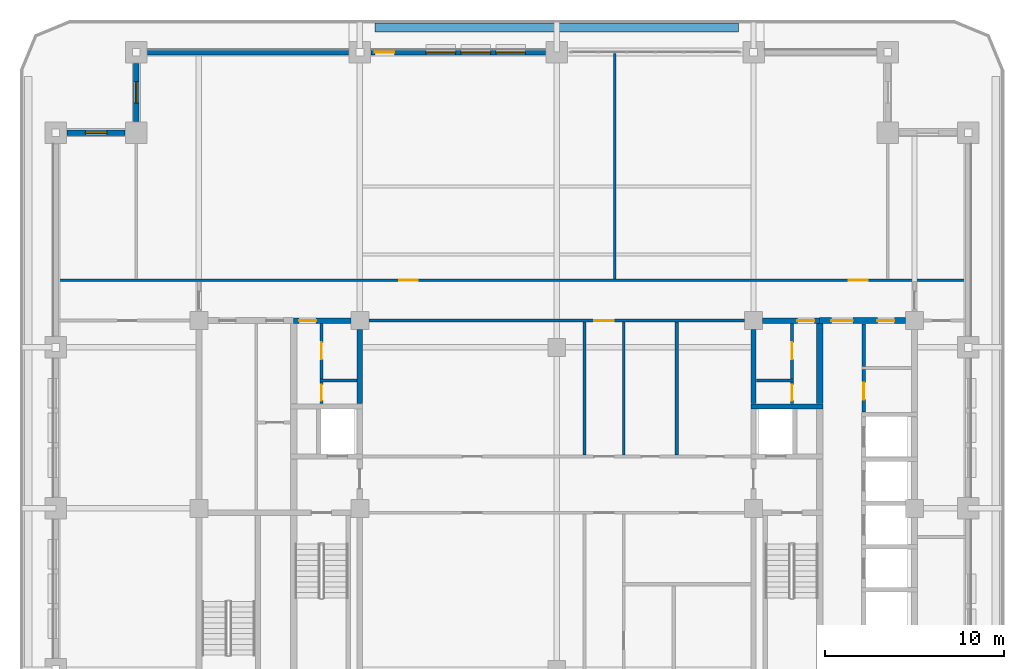
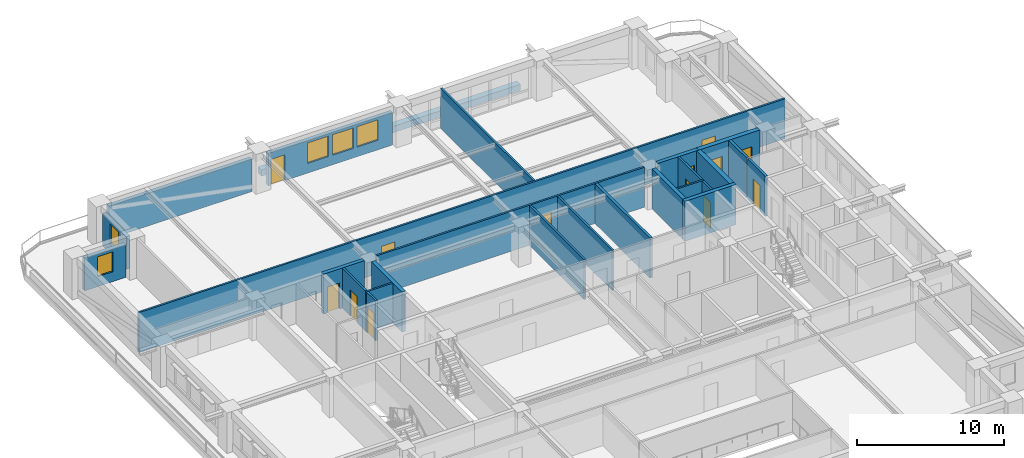
# One storey, part 11 of 20: 26 walls, 13 doors, 5 windows, 18 openings.
"""IFC4 building model written with IfcOpenShell, lengths in metres."""

from ifc_helpers import new_model, si_unit, direction, frame, frame_2d, origin, place, context, subcontext, project, spatial, rectangle, extrude, material, layer, layer_set, type_object, element, fill, save


model = new_model("IFC4")

# Units and contexts
model_context = context("Model", 3, precision=1e-05, world=origin(), true_north=direction((0.0, 1.0)))
body_context = subcontext(model_context, "Body", "Model", "MODEL_VIEW")
ifc_project = project(units=[si_unit("LENGTHUNIT", "METRE"), si_unit("AREAUNIT", "SQUARE_METRE"), si_unit("VOLUMEUNIT", "CUBIC_METRE"), si_unit("PLANEANGLEUNIT", "RADIAN"), si_unit("MASSUNIT", "GRAM", prefix="KILO")], contexts=[model_context])

# Site, building, storey
site_placement = place(None, origin())
site = spatial("IfcSite", under=ifc_project, at=site_placement, CompositionType="ELEMENT")
building_placement = place(site_placement, origin())
building = spatial("IfcBuilding", under=site, at=building_placement, Name="Zulmaris Gate Convention Tower", CompositionType="ELEMENT")
storey_placement = place(building_placement, frame((0.0, 0.0, 146.33984375)))
storey = spatial("IfcBuildingStorey", under=building, at=storey_placement, Name="L37", CompositionType="ELEMENT", Elevation=146.33984375)

# Wall
ifc_material_1 = material(Name="Concrete C50/60", Category="concrete")
ifc_layer_1 = layer(ifc_material_1, 0.300048828125, Name="Concrete C50/60")
ifc_layer_set_1 = layer_set([ifc_layer_1], Name="Concrete C50/60")
wall_type_1 = type_object("IfcWallType", Name="CORE-300", PredefinedType="SHEAR", material=ifc_layer_set_1)
wall_1_placement = place(storey_placement, frame((10.85009765625, 5.699951171875, 0.0), z_axis=(0.0, 0.0, 1.0), x_axis=(1.0, 0.0, 0.0)))
element("IfcWall", 1, at=wall_1_placement, inside=storey, type_object=wall_type_1, Name="WL-L37-016", PredefinedType="SHEAR", context=body_context, shape_type="SweptSolid", body=[
    extrude(rectangle(XDim=4.02490234375, YDim=0.300048828125, at=frame_2d((2.012451171875, 0.0))), origin(), (0.0, 0.0, 1.0), 3.320068359375),
])

# Wall, opening, door
wall_2_placement = place(storey_placement, frame((-14.699951171875, 10.5, 0.0), z_axis=(0.0, 0.0, 1.0), x_axis=(1.0, 0.0, 0.0)))
wall_2 = element("IfcWall", 2, at=wall_2_placement, inside=storey, type_object=wall_type_1, Name="WL-L37-018", PredefinedType="SHEAR", context=body_context, shape_type="SweptSolid", body=[
    extrude(rectangle(XDim=3.196044921875, YDim=0.300048828125, at=frame_2d((1.59814453125, 0.0))), origin(), (0.0, 0.0, 1.0), 3.320068359375),
])
opening_1_placement = place(wall_2_placement, frame((0.304931640625, 0.0, 0.0)))
opening_1 = element("IfcOpeningElement", 3, at=opening_1_placement, cuts=wall_2, Name="Opening D-11", PredefinedType="OPENING", context=body_context, shape_type="SweptSolid", body=[
    extrude(rectangle(XDim=0.949951171875, YDim=2.14990234375, at=frame_2d((0.47509765625, 1.074951171875))), frame((0.0, 0.16015625, 0.0), z_axis=(0.0, -1.0, 0.0), x_axis=(1.0, 0.0, 0.0)), (0.0, 0.0, 1.0), 0.320068359375),
])
ifc_material_2 = material(Name="Fire-Rated Timber", Category="wood")
door_type_1 = type_object("IfcDoorType", Name="DR-950-FD", OperationType="NOTDEFINED", PredefinedType="DOOR", material=ifc_material_2)
door_1_placement = place(opening_1_placement, origin())
door_1 = element("IfcDoor", 4, at=door_1_placement, inside=storey, type_object=door_type_1, Name="L37 Core West Passage Door 07", OperationType="SINGLE_SWING_LEFT", OverallHeight=2.14990234375, OverallWidth=0.949951171875, PredefinedType="DOOR", context=body_context, shape_type="SweptSolid", body=[
    extrude(rectangle(XDim=0.949951171875, YDim=2.14990234375, at=frame_2d((0.47509765625, 1.074951171875))), frame((0.0, 0.02490234375, 0.0), z_axis=(0.0, -1.0, 0.0), x_axis=(1.0, 0.0, 0.0)), (0.0, 0.0, 1.0), 0.050048828125),
])
fill(opening_1, door_1)

wall_3_placement = place(storey_placement, frame((11.50390625, 10.5, 0.0), z_axis=(0.0, 0.0, 1.0), x_axis=(1.0, 0.0, 0.0)))
wall_3 = element("IfcWall", 5, at=wall_3_placement, inside=storey, type_object=wall_type_1, Name="WL-L37-019", PredefinedType="SHEAR", context=body_context, shape_type="SweptSolid", body=[
    extrude(rectangle(XDim=3.196044921875, YDim=0.300048828125, at=frame_2d((1.59814453125, 0.0))), origin(), (0.0, 0.0, 1.0), 3.320068359375),
])
opening_2_placement = place(wall_3_placement, frame((1.94091796875, 0.0, 0.0)))
opening_2 = element("IfcOpeningElement", 6, at=opening_2_placement, cuts=wall_3, Name="Opening D-11", PredefinedType="OPENING", context=body_context, shape_type="SweptSolid", body=[
    extrude(rectangle(XDim=0.949951171875, YDim=2.14990234375, at=frame_2d((0.47509765625, 1.074951171875))), frame((0.0, 0.16015625, 0.0), z_axis=(0.0, -1.0, 0.0), x_axis=(1.0, 0.0, 0.0)), (0.0, 0.0, 1.0), 0.320068359375),
])
door_2_placement = place(opening_2_placement, origin())
door_2 = element("IfcDoor", 7, at=door_2_placement, inside=storey, type_object=door_type_1, Name="L37 Core East Passage Door 10", OperationType="SINGLE_SWING_RIGHT", OverallHeight=2.14990234375, OverallWidth=0.949951171875, PredefinedType="DOOR", context=body_context, shape_type="SweptSolid", body=[
    extrude(rectangle(XDim=0.949951171875, YDim=2.14990234375, at=frame_2d((0.47509765625, 1.074951171875))), frame((0.0, 0.02490234375, 0.0), z_axis=(0.0, -1.0, 0.0), x_axis=(1.0, 0.0, 0.0)), (0.0, 0.0, 1.0), 0.050048828125),
])
fill(opening_2, door_2)

# Walls
for number, where, z_axis, x_axis, name in (
    (8, (-11.0, 5.85205078125, 0.0), (0.0, 0.0, 1.0), (0.0, 1.0, 0.0), "WL-L37-051"),
    (9, (11.0, 5.85205078125, 0.0), (0.0, 0.0, 1.0), (0.0, 1.0, 0.0), "WL-L37-055"),
):
    element("IfcWall", number, at=place(storey_placement, frame(where, z_axis=z_axis, x_axis=x_axis)), inside=storey, type_object=wall_type_1, Name=name, PredefinedType="SHEAR", context=body_context, shape_type="SweptSolid", body=[
        extrude(rectangle(XDim=4.14404296875, YDim=0.300048828125, at=frame_2d((2.072021484375, 0.0))), origin(), (0.0, 0.0, 1.0), 3.320068359375),
    ])

# Wall, openings, doors
ifc_material_3 = material(Name="Concrete C55/67", Category="concrete")
ifc_layer_2 = layer(ifc_material_3, 0.35009765625, Name="Concrete C55/67")
ifc_layer_set_2 = layer_set([ifc_layer_2], Name="Concrete C55/67")
wall_type_2 = type_object("IfcWallType", Name="CORE-350", PredefinedType="SHEAR", material=ifc_layer_set_2)
wall_4_placement = place(storey_placement, frame((14.699951171875, 10.5, 0.0), z_axis=(0.0, 0.0, 1.0), x_axis=(1.0, 0.0, 0.0)))
wall_4 = element("IfcWall", 10, at=wall_4_placement, inside=storey, type_object=wall_type_2, Name="WL-L37-020", PredefinedType="SHEAR", context=body_context, shape_type="SweptSolid", body=[
    extrude(rectangle(XDim=4.796142578125, YDim=0.35009765625, at=frame_2d((2.39794921875, 0.0))), origin(), (0.0, 0.0, 1.0), 3.320068359375),
])
opening_3_placement = place(wall_4_placement, frame((0.64990234375, 0.0, 0.0)))
opening_3 = element("IfcOpeningElement", 11, at=opening_3_placement, cuts=wall_4, Name="Opening D-13", PredefinedType="OPENING", context=body_context, shape_type="SweptSolid", body=[
    extrude(rectangle(XDim=1.199951171875, YDim=2.14990234375, at=frame_2d((0.60009765625, 1.074951171875))), frame((0.0, 0.18505859375, 0.0), z_axis=(0.0, -1.0, 0.0), x_axis=(1.0, 0.0, 0.0)), (0.0, 0.0, 1.0), 0.3701171875),
])
opening_4_placement = place(wall_4_placement, frame((3.22509765625, 0.0, 0.0)))
opening_4 = element("IfcOpeningElement", 12, at=opening_4_placement, cuts=wall_4, Name="Opening D-11", PredefinedType="OPENING", context=body_context, shape_type="SweptSolid", body=[
    extrude(rectangle(XDim=0.949951171875, YDim=2.14990234375, at=frame_2d((0.47509765625, 1.074951171875))), frame((0.0, 0.18505859375, 0.0), z_axis=(0.0, -1.0, 0.0), x_axis=(1.0, 0.0, 0.0)), (0.0, 0.0, 1.0), 0.3701171875),
])
ifc_material_4 = material(Name="Fire-Rated Steel", Category="steel")
door_type_2 = type_object("IfcDoorType", Name="DR-1200-FD", OperationType="NOTDEFINED", PredefinedType="DOOR", material=ifc_material_4)
door_3_placement = place(opening_3_placement, origin())
door_3 = element("IfcDoor", 13, at=door_3_placement, inside=storey, type_object=door_type_2, Name="L37 East Lift Lobby North Door 22", OperationType="SINGLE_SWING_RIGHT", OverallHeight=2.14990234375, OverallWidth=1.199951171875, PredefinedType="DOOR", context=body_context, shape_type="SweptSolid", body=[
    extrude(rectangle(XDim=1.199951171875, YDim=2.14990234375, at=frame_2d((0.60009765625, 1.074951171875))), frame((0.0, 0.02490234375, 0.0), z_axis=(0.0, -1.0, 0.0), x_axis=(1.0, 0.0, 0.0)), (0.0, 0.0, 1.0), 0.050048828125),
])
fill(opening_3, door_3)
door_4_placement = place(opening_4_placement, origin())
door_4 = element("IfcDoor", 14, at=door_4_placement, inside=storey, type_object=door_type_1, Name="L37 Mid-Rise Supply Door 23", OperationType="SINGLE_SWING_LEFT", OverallHeight=2.14990234375, OverallWidth=0.949951171875, PredefinedType="DOOR", context=body_context, shape_type="SweptSolid", body=[
    extrude(rectangle(XDim=0.949951171875, YDim=2.14990234375, at=frame_2d((0.47509765625, 1.074951171875))), frame((0.0, 0.02490234375, 0.0), z_axis=(0.0, -1.0, 0.0), x_axis=(1.0, 0.0, 0.0)), (0.0, 0.0, 1.0), 0.050048828125),
])
fill(opening_4, door_4)

# Walls
wall_5_placement = place(storey_placement, frame((14.699951171875, 5.85205078125, 0.0), z_axis=(0.0, 0.0, 1.0), x_axis=(0.0, 1.0, 0.0)))
element("IfcWall", 15, at=wall_5_placement, inside=storey, type_object=wall_type_2, Name="WL-L37-061", PredefinedType="SHEAR", context=body_context, shape_type="SweptSolid", body=[
    extrude(rectangle(XDim=4.470947265625, YDim=0.35009765625, at=frame_2d((2.2353515625, 0.0))), origin(), (0.0, 0.0, 1.0), 3.320068359375),
])
ifc_material_5 = material(Name="Gypsum Metal Stud Partition")
ifc_layer_3 = layer(ifc_material_5, 0.14990234375, Name="Gypsum Metal Stud Partition")
ifc_layer_set_3 = layer_set([ifc_layer_3], Name="Gypsum Metal Stud Partition")
wall_type_3 = type_object("IfcWallType", Name="PART-150", PredefinedType="PARTITIONING", material=ifc_layer_set_3)
for number, where, z_axis, x_axis, name in (
    (16, (-13.22509765625, 7.14990234375, 0.0), (0.0, 0.0, 1.0), (1.0, 0.0, 0.0), "WL-L37-032"),
    (17, (11.153076171875, 7.14990234375, 0.0), (0.0, 0.0, 1.0), (1.0, 0.0, 0.0), "WL-L37-033"),
):
    element("IfcWall", number, at=place(storey_placement, frame(where, z_axis=z_axis, x_axis=x_axis)), inside=storey, type_object=wall_type_3, Name=name, PredefinedType="PARTITIONING", context=body_context, shape_type="SweptSolid", body=[
        extrude(rectangle(XDim=2.072021484375, YDim=0.14990234375, at=frame_2d((1.0361328125, 0.0))), origin(), (0.0, 0.0, 1.0), 3.320068359375),
    ])

# Wall, opening, door
wall_6_placement = place(storey_placement, frame((-10.493896484375, 10.5, 0.0), z_axis=(0.0, 0.0, 1.0), x_axis=(1.0, 0.0, 0.0)))
wall_6 = element("IfcWall", 18, at=wall_6_placement, inside=storey, type_object=wall_type_3, Name="WL-L37-036", PredefinedType="PARTITIONING", context=body_context, shape_type="SweptSolid", body=[
    extrude(rectangle(XDim=20.98779296875, YDim=0.14990234375, at=frame_2d((10.493896484375, 0.0))), origin(), (0.0, 0.0, 1.0), 3.320068359375),
])
opening_5_placement = place(wall_6_placement, frame((12.593994140625, 0.0, 0.0)))
opening_5 = element("IfcOpeningElement", 19, at=opening_5_placement, cuts=wall_6, Name="Opening D-08", PredefinedType="OPENING", context=body_context, shape_type="SweptSolid", body=[
    extrude(rectangle(XDim=1.10009765625, YDim=2.14990234375, at=frame_2d((0.550048828125, 1.074951171875))), frame((0.0, 0.0849609375, 0.0), z_axis=(0.0, -1.0, 0.0), x_axis=(1.0, 0.0, 0.0)), (0.0, 0.0, 1.0), 0.169921875),
])
door_type_3 = type_object("IfcDoorType", Name="DR-1100-FD", OperationType="NOTDEFINED", PredefinedType="DOOR", material=ifc_material_4)
door_5_placement = place(opening_5_placement, origin())
door_5 = element("IfcDoor", 20, at=door_5_placement, inside=storey, type_object=door_type_3, Name="L37 North Gallery Link Door 25", OperationType="SINGLE_SWING_LEFT", OverallHeight=2.14990234375, OverallWidth=1.10009765625, PredefinedType="DOOR", context=body_context, shape_type="SweptSolid", body=[
    extrude(rectangle(XDim=1.10009765625, YDim=2.14990234375, at=frame_2d((0.550048828125, 1.074951171875))), frame((0.0, 0.02490234375, 0.0), z_axis=(0.0, -1.0, 0.0), x_axis=(1.0, 0.0, 0.0)), (0.0, 0.0, 1.0), 0.050048828125),
])
fill(opening_5, door_5)

# Wall, openings, doors
wall_7_placement = place(storey_placement, frame((-27.8349609375, 12.75, 0.0), z_axis=(0.0, 0.0, 1.0), x_axis=(1.0, 0.0, 0.0)))
wall_7 = element("IfcWall", 21, at=wall_7_placement, inside=storey, type_object=wall_type_3, Name="WL-L37-038", PredefinedType="PARTITIONING", context=body_context, shape_type="SweptSolid", body=[
    extrude(rectangle(XDim=50.669921875, YDim=0.14990234375, at=frame_2d((25.3349609375, 0.0))), origin(), (0.0, 0.0, 1.0), 3.320068359375),
])
opening_6_placement = place(wall_7_placement, frame((19.030029296875, 0.0, 0.0)))
opening_6 = element("IfcOpeningElement", 22, at=opening_6_placement, cuts=wall_7, Name="Opening D-09", PredefinedType="OPENING", context=body_context, shape_type="SweptSolid", body=[
    extrude(rectangle(XDim=1.050048828125, YDim=2.14990234375, at=frame_2d((0.52490234375, 1.074951171875))), frame((0.0, 0.0849609375, 0.0), z_axis=(0.0, -1.0, 0.0), x_axis=(1.0, 0.0, 0.0)), (0.0, 0.0, 1.0), 0.169921875),
])
opening_7_placement = place(wall_7_placement, frame((44.159912109375, 0.0, 0.0)))
opening_7 = element("IfcOpeningElement", 23, at=opening_7_placement, cuts=wall_7, Name="Opening D-09", PredefinedType="OPENING", context=body_context, shape_type="SweptSolid", body=[
    extrude(rectangle(XDim=1.050048828125, YDim=2.14990234375, at=frame_2d((0.52490234375, 1.074951171875))), frame((0.0, 0.0849609375, 0.0), z_axis=(0.0, -1.0, 0.0), x_axis=(1.0, 0.0, 0.0)), (0.0, 0.0, 1.0), 0.169921875),
])
door_type_4 = type_object("IfcDoorType", Name="DR-1050-FD", OperationType="NOTDEFINED", PredefinedType="DOOR", material=ifc_material_4)
door_6_placement = place(opening_6_placement, origin())
door_6 = element("IfcDoor", 24, at=door_6_placement, inside=storey, type_object=door_type_4, Name="L37 Delegate Business Lounge Door 29", OperationType="SINGLE_SWING_LEFT", OverallHeight=2.14990234375, OverallWidth=1.050048828125, PredefinedType="DOOR", context=body_context, shape_type="SweptSolid", body=[
    extrude(rectangle(XDim=1.050048828125, YDim=2.14990234375, at=frame_2d((0.52490234375, 1.074951171875))), frame((0.0, 0.02490234375, 0.0), z_axis=(0.0, -1.0, 0.0), x_axis=(1.0, 0.0, 0.0)), (0.0, 0.0, 1.0), 0.050048828125),
])
fill(opening_6, door_6)
door_7_placement = place(opening_7_placement, origin())
door_7 = element("IfcDoor", 25, at=door_7_placement, inside=storey, type_object=door_type_4, Name="L37 Commercial Advisory Office Door 30", OperationType="SINGLE_SWING_RIGHT", OverallHeight=2.14990234375, OverallWidth=1.050048828125, PredefinedType="DOOR", context=body_context, shape_type="SweptSolid", body=[
    extrude(rectangle(XDim=1.050048828125, YDim=2.14990234375, at=frame_2d((0.52490234375, 1.074951171875))), frame((0.0, 0.02490234375, 0.0), z_axis=(0.0, -1.0, 0.0), x_axis=(1.0, 0.0, 0.0)), (0.0, 0.0, 1.0), 0.050048828125),
])
fill(opening_7, door_7)

# Wall, opening, door
wall_8_placement = place(storey_placement, frame((-13.14990234375, 5.85302734375, 0.0), z_axis=(0.0, 0.0, 1.0), x_axis=(0.0, 1.0, 0.0)))
wall_8 = element("IfcWall", 26, at=wall_8_placement, inside=storey, type_object=wall_type_3, Name="WL-L37-080", PredefinedType="PARTITIONING", context=body_context, shape_type="SweptSolid", body=[
    extrude(rectangle(XDim=1.218994140625, YDim=0.14990234375, at=frame_2d((0.609375, 0.0))), origin(), (0.0, 0.0, 1.0), 3.320068359375),
])
opening_8_placement = place(wall_8_placement, frame((0.1689453125, 0.0, 0.0)))
opening_8 = element("IfcOpeningElement", 27, at=opening_8_placement, cuts=wall_8, Name="Opening D-12", PredefinedType="OPENING", context=body_context, shape_type="SweptSolid", body=[
    extrude(rectangle(XDim=0.89990234375, YDim=2.14990234375, at=frame_2d((0.449951171875, 1.074951171875))), frame((0.0, 0.0849609375, 0.0), z_axis=(0.0, -1.0, 0.0), x_axis=(1.0, 0.0, 0.0)), (0.0, 0.0, 1.0), 0.169921875),
])
door_type_5 = type_object("IfcDoorType", Name="DR-900-FD", OperationType="NOTDEFINED", PredefinedType="DOOR", material=ifc_material_2)
door_8_placement = place(opening_8_placement, origin())
door_8 = element("IfcDoor", 28, at=door_8_placement, inside=storey, type_object=door_type_5, Name="L37 Stationery Closet Door 08", OperationType="SINGLE_SWING_RIGHT", OverallHeight=2.14990234375, OverallWidth=0.89990234375, PredefinedType="DOOR", context=body_context, shape_type="SweptSolid", body=[
    extrude(rectangle(XDim=0.89990234375, YDim=2.14990234375, at=frame_2d((0.449951171875, 1.074951171875))), frame((0.0, 0.02490234375, 0.0), z_axis=(0.0, -1.0, 0.0), x_axis=(1.0, 0.0, 0.0)), (0.0, 0.0, 1.0), 0.050048828125),
])
fill(opening_8, door_8)

wall_9_placement = place(storey_placement, frame((-13.14990234375, 7.22802734375, 0.0), z_axis=(0.0, 0.0, 1.0), x_axis=(0.0, 1.0, 0.0)))
wall_9 = element("IfcWall", 29, at=wall_9_placement, inside=storey, type_object=wall_type_3, Name="WL-L37-081", PredefinedType="PARTITIONING", context=body_context, shape_type="SweptSolid", body=[
    extrude(rectangle(XDim=3.118896484375, YDim=0.14990234375, at=frame_2d((1.5595703125, 0.0))), origin(), (0.0, 0.0, 1.0), 3.320068359375),
])
opening_9_placement = place(wall_9_placement, frame((1.096923828125, 0.0, 0.0)))
opening_9 = element("IfcOpeningElement", 30, at=opening_9_placement, cuts=wall_9, Name="Opening D-11", PredefinedType="OPENING", context=body_context, shape_type="SweptSolid", body=[
    extrude(rectangle(XDim=0.949951171875, YDim=2.14990234375, at=frame_2d((0.47509765625, 1.074951171875))), frame((0.0, 0.0849609375, 0.0), z_axis=(0.0, -1.0, 0.0), x_axis=(1.0, 0.0, 0.0)), (0.0, 0.0, 1.0), 0.169921875),
])
door_9_placement = place(opening_9_placement, origin())
door_9 = element("IfcDoor", 31, at=door_9_placement, inside=storey, type_object=door_type_1, Name="L37 Meter Closet Door 09", OperationType="SINGLE_SWING_LEFT", OverallHeight=2.14990234375, OverallWidth=0.949951171875, PredefinedType="DOOR", context=body_context, shape_type="SweptSolid", body=[
    extrude(rectangle(XDim=0.949951171875, YDim=2.14990234375, at=frame_2d((0.47509765625, 1.074951171875))), frame((0.0, 0.02490234375, 0.0), z_axis=(0.0, -1.0, 0.0), x_axis=(1.0, 0.0, 0.0)), (0.0, 0.0, 1.0), 0.050048828125),
])
fill(opening_9, door_9)

# Walls
wall_10_placement = place(storey_placement, frame((1.550048828125, 2.97802734375, 0.0), z_axis=(0.0, 0.0, 1.0), x_axis=(0.0, 1.0, 0.0)))
element("IfcWall", 32, at=wall_10_placement, inside=storey, type_object=wall_type_3, Name="WL-L37-086", PredefinedType="PARTITIONING", context=body_context, shape_type="SweptSolid", body=[
    extrude(rectangle(XDim=7.444091796875, YDim=0.14990234375, at=frame_2d((3.72216796875, 0.0))), origin(), (0.0, 0.0, 1.0), 3.320068359375),
])
wall_11_placement = place(storey_placement, frame((3.25, 12.827880859375, 0.0), z_axis=(0.0, 0.0, 1.0), x_axis=(0.0, 1.0, 0.0)))
element("IfcWall", 33, at=wall_11_placement, inside=storey, type_object=wall_type_3, Name="WL-L37-087", PredefinedType="PARTITIONING", context=body_context, shape_type="SweptSolid", body=[
    extrude(rectangle(XDim=12.612060546875, YDim=0.14990234375, at=frame_2d((6.30615234375, 0.0))), origin(), (0.0, 0.0, 1.0), 3.320068359375),
])
wall_12_placement = place(storey_placement, frame((3.75, 2.97802734375, 0.0), z_axis=(0.0, 0.0, 1.0), x_axis=(0.0, 1.0, 0.0)))
element("IfcWall", 34, at=wall_12_placement, inside=storey, type_object=wall_type_3, Name="WL-L37-090", PredefinedType="PARTITIONING", context=body_context, shape_type="SweptSolid", body=[
    extrude(rectangle(XDim=7.444091796875, YDim=0.14990234375, at=frame_2d((3.72216796875, 0.0))), origin(), (0.0, 0.0, 1.0), 3.320068359375),
])

# Wall, opening, door
wall_13_placement = place(storey_placement, frame((13.14990234375, 5.85302734375, 0.0), z_axis=(0.0, 0.0, 1.0), x_axis=(0.0, 1.0, 0.0)))
wall_13 = element("IfcWall", 35, at=wall_13_placement, inside=storey, type_object=wall_type_3, Name="WL-L37-096", PredefinedType="PARTITIONING", context=body_context, shape_type="SweptSolid", body=[
    extrude(rectangle(XDim=1.218994140625, YDim=0.14990234375, at=frame_2d((0.609375, 0.0))), origin(), (0.0, 0.0, 1.0), 3.320068359375),
])
opening_10_placement = place(wall_13_placement, frame((0.1689453125, 0.0, 0.0)))
opening_10 = element("IfcOpeningElement", 36, at=opening_10_placement, cuts=wall_13, Name="Opening D-12", PredefinedType="OPENING", context=body_context, shape_type="SweptSolid", body=[
    extrude(rectangle(XDim=0.89990234375, YDim=2.14990234375, at=frame_2d((0.449951171875, 1.074951171875))), frame((0.0, 0.0849609375, 0.0), z_axis=(0.0, -1.0, 0.0), x_axis=(1.0, 0.0, 0.0)), (0.0, 0.0, 1.0), 0.169921875),
])
door_10_placement = place(opening_10_placement, origin())
door_10 = element("IfcDoor", 37, at=door_10_placement, inside=storey, type_object=door_type_5, Name="L37 Core Staff WC Door 11", OperationType="SINGLE_SWING_LEFT", OverallHeight=2.14990234375, OverallWidth=0.89990234375, PredefinedType="DOOR", context=body_context, shape_type="SweptSolid", body=[
    extrude(rectangle(XDim=0.89990234375, YDim=2.14990234375, at=frame_2d((0.449951171875, 1.074951171875))), frame((0.0, 0.02490234375, 0.0), z_axis=(0.0, -1.0, 0.0), x_axis=(1.0, 0.0, 0.0)), (0.0, 0.0, 1.0), 0.050048828125),
])
fill(opening_10, door_10)

wall_14_placement = place(storey_placement, frame((13.14990234375, 7.22802734375, 0.0), z_axis=(0.0, 0.0, 1.0), x_axis=(0.0, 1.0, 0.0)))
wall_14 = element("IfcWall", 38, at=wall_14_placement, inside=storey, type_object=wall_type_3, Name="WL-L37-097", PredefinedType="PARTITIONING", context=body_context, shape_type="SweptSolid", body=[
    extrude(rectangle(XDim=3.118896484375, YDim=0.14990234375, at=frame_2d((1.5595703125, 0.0))), origin(), (0.0, 0.0, 1.0), 3.320068359375),
])
opening_11_placement = place(wall_14_placement, frame((1.096923828125, 0.0, 0.0)))
opening_11 = element("IfcOpeningElement", 39, at=opening_11_placement, cuts=wall_14, Name="Opening D-11", PredefinedType="OPENING", context=body_context, shape_type="SweptSolid", body=[
    extrude(rectangle(XDim=0.949951171875, YDim=2.14990234375, at=frame_2d((0.47509765625, 1.074951171875))), frame((0.0, 0.0849609375, 0.0), z_axis=(0.0, -1.0, 0.0), x_axis=(1.0, 0.0, 0.0)), (0.0, 0.0, 1.0), 0.169921875),
])
door_11_placement = place(opening_11_placement, origin())
door_11 = element("IfcDoor", 40, at=door_11_placement, inside=storey, type_object=door_type_1, Name="L37 Core Hygiene Store Door 12", OperationType="SINGLE_SWING_RIGHT", OverallHeight=2.14990234375, OverallWidth=0.949951171875, PredefinedType="DOOR", context=body_context, shape_type="SweptSolid", body=[
    extrude(rectangle(XDim=0.949951171875, YDim=2.14990234375, at=frame_2d((0.47509765625, 1.074951171875))), frame((0.0, 0.02490234375, 0.0), z_axis=(0.0, -1.0, 0.0), x_axis=(1.0, 0.0, 0.0)), (0.0, 0.0, 1.0), 0.050048828125),
])
fill(opening_11, door_11)

# Wall
ifc_material_6 = material(Name="Autoclaved Aerated Concrete Block and Plasterboard", Category="concrete")
ifc_layer_4 = layer(ifc_material_6, 0.199951171875, Name="Autoclaved Aerated Concrete Block and Plasterboard")
ifc_layer_set_4 = layer_set([ifc_layer_4], Name="Autoclaved Aerated Concrete Block and Plasterboard")
wall_type_4 = type_object("IfcWallType", Name="PART-200", PredefinedType="PARTITIONING", material=ifc_layer_set_4)
wall_15_placement = place(storey_placement, frame((6.719970703125, 2.97802734375, 0.0), z_axis=(0.0, 0.0, 1.0), x_axis=(0.0, 1.0, 0.0)))
element("IfcWall", 41, at=wall_15_placement, inside=storey, type_object=wall_type_4, Name="WL-L37-095", PredefinedType="PARTITIONING", context=body_context, shape_type="SweptSolid", body=[
    extrude(rectangle(XDim=7.444091796875, YDim=0.199951171875, at=frame_2d((3.72216796875, 0.0))), origin(), (0.0, 0.0, 1.0), 3.320068359375),
])

# Wall, opening, door
wall_16_placement = place(storey_placement, frame((17.14990234375, 5.3779296875, 0.0), z_axis=(0.0, 0.0, 1.0), x_axis=(0.0, 1.0, 0.0)))
wall_16 = element("IfcWall", 42, at=wall_16_placement, inside=storey, type_object=wall_type_4, Name="WL-L37-098", PredefinedType="PARTITIONING", context=body_context, shape_type="SweptSolid", body=[
    extrude(rectangle(XDim=2.39404296875, YDim=0.199951171875, at=frame_2d((1.197021484375, 0.0))), origin(), (0.0, 0.0, 1.0), 3.320068359375),
])
opening_12_placement = place(wall_16_placement, frame((0.697021484375, 0.0, 0.0)))
opening_12 = element("IfcOpeningElement", 43, at=opening_12_placement, cuts=wall_16, Name="Opening D-11", PredefinedType="OPENING", context=body_context, shape_type="SweptSolid", body=[
    extrude(rectangle(XDim=0.949951171875, YDim=2.14990234375, at=frame_2d((0.47509765625, 1.074951171875))), frame((0.0, 0.10986328125, 0.0), z_axis=(0.0, -1.0, 0.0), x_axis=(1.0, 0.0, 0.0)), (0.0, 0.0, 1.0), 0.219970703125),
])
door_12_placement = place(opening_12_placement, origin())
door_12 = element("IfcDoor", 44, at=door_12_placement, inside=storey, type_object=door_type_1, Name="L37 Mid-Rise Meter Door 24", OperationType="SINGLE_SWING_RIGHT", OverallHeight=2.14990234375, OverallWidth=0.949951171875, PredefinedType="DOOR", context=body_context, shape_type="SweptSolid", body=[
    extrude(rectangle(XDim=0.949951171875, YDim=2.14990234375, at=frame_2d((0.47509765625, 1.074951171875))), frame((0.0, 0.02490234375, 0.0), z_axis=(0.0, -1.0, 0.0), x_axis=(1.0, 0.0, 0.0)), (0.0, 0.0, 1.0), 0.050048828125),
])
fill(opening_12, door_12)

# Walls
wall_17_placement = place(storey_placement, frame((17.14990234375, 7.927978515625, 0.0), z_axis=(0.0, 0.0, 1.0), x_axis=(0.0, 1.0, 0.0)))
element("IfcWall", 45, at=wall_17_placement, inside=storey, type_object=wall_type_4, Name="WL-L37-099", PredefinedType="PARTITIONING", context=body_context, shape_type="SweptSolid", body=[
    extrude(rectangle(XDim=2.39404296875, YDim=0.199951171875, at=frame_2d((1.197021484375, 0.0))), origin(), (0.0, 0.0, 1.0), 3.320068359375),
])
ifc_material_7 = material(Name="Botanical Green Glazed Precast Concrete C40/50", Category="concrete")
ifc_layer_5 = layer(ifc_material_7, 0.419921875, Name="Botanical Green Glazed Precast Concrete C40/50")
ifc_layer_set_5 = layer_set([ifc_layer_5], Name="Botanical Green Glazed Precast Concrete C40/50")
wall_type_5 = type_object("IfcWallType", Name="PLANTER-CURB-200", PredefinedType="PARAPET", material=ifc_layer_set_5)
wall_18_placement = place(storey_placement, frame((-10.14990234375, 26.8798828125, -0.0400390625), z_axis=(0.0, 0.0, 1.0), x_axis=(1.0, 0.0, 0.0)))
element("IfcWall", 46, at=wall_18_placement, inside=storey, type_object=wall_type_5, Name="L37 Full-Length Balcony Tree Planter Trough", PredefinedType="PARAPET", context=body_context, shape_type="SweptSolid", body=[
    extrude(rectangle(XDim=20.2998046875, YDim=0.47998046875, at=frame_2d((10.14990234375, 0.0))), origin(), (0.0, 0.0, 1.0), 0.52001953125),
])

# Wall, opening, window
ifc_material_8 = material(Name="Precast concrete C40/50", Category="concrete")
ifc_layer_6 = layer(ifc_material_8, 0.300048828125, Name="Precast concrete C40/50")
ifc_layer_set_6 = layer_set([ifc_layer_6], Name="Precast concrete C40/50")
wall_type_6 = type_object("IfcWallType", Name="PRECAST-PIER-300", PredefinedType="STANDARD", material=ifc_layer_set_6)
wall_19_placement = place(storey_placement, frame((-23.5, 24.8701171875, 0.0), z_axis=(0.0, 0.0, 1.0), x_axis=(0.0, -1.0, 0.0)))
wall_19 = element("IfcWall", 47, at=wall_19_placement, inside=storey, type_object=wall_type_6, Name="EW-L37-NOTCH-NW1_0", PredefinedType="STANDARD", context=body_context, shape_type="SweptSolid", body=[
    extrude(rectangle(XDim=3.240234375, YDim=0.300048828125, at=frame_2d((1.6201171875, 0.0))), origin(), (0.0, 0.0, 1.0), 2.712158203125),
])
opening_13_placement = place(wall_19_placement, frame((1.02001953125, 0.0, 0.820068359375)))
opening_13 = element("IfcOpeningElement", 48, at=opening_13_placement, cuts=wall_19, Name="Opening W-04", PredefinedType="OPENING", context=body_context, shape_type="SweptSolid", body=[
    extrude(rectangle(XDim=1.199951171875, YDim=1.64990234375, at=frame_2d((0.60009765625, 0.824951171875))), frame((0.0, 0.16015625, 0.0), z_axis=(0.0, -1.0, 0.0), x_axis=(1.0, 0.0, 0.0)), (0.0, 0.0, 1.0), 0.320068359375),
])
ifc_material_9 = material(Name="Low-E Laminated Double Glazing in Aluminium Frame", Category="aluminium")
window_type_1 = type_object("IfcWindowType", Name="WIN-1200x2100", PartitioningType="SINGLE_PANEL", PredefinedType="WINDOW", material=ifc_material_9)
window_1_placement = place(opening_13_placement, origin())
window_1 = element("IfcWindow", 49, at=window_1_placement, inside=storey, type_object=window_type_1, Name="WN-EW-L37-NOTCH-NW1_0", OverallHeight=1.64990234375, OverallWidth=1.199951171875, PartitioningType="SINGLE_PANEL", PredefinedType="WINDOW", context=body_context, shape_type="SweptSolid", body=[
    extrude(rectangle(XDim=1.199951171875, YDim=1.64990234375, at=frame_2d((0.60009765625, 0.824951171875))), frame((0.0, 0.030029296875, 0.0), z_axis=(0.0, -1.0, 0.0), x_axis=(1.0, 0.0, 0.0)), (0.0, 0.0, 1.0), 0.06005859375),
])
fill(opening_13, window_1)

wall_20_placement = place(storey_placement, frame((-24.1298828125, 21.0, 0.0), z_axis=(0.0, 0.0, 1.0), x_axis=(-1.0, 0.0, 0.0)))
wall_20 = element("IfcWall", 50, at=wall_20_placement, inside=storey, type_object=wall_type_6, Name="EW-L37-NOTCH-NW2_0", PredefinedType="STANDARD", context=body_context, shape_type="SweptSolid", body=[
    extrude(rectangle(XDim=3.240234375, YDim=0.300048828125, at=frame_2d((1.6201171875, 0.0))), origin(), (0.0, 0.0, 1.0), 2.712158203125),
])
opening_14_placement = place(wall_20_placement, frame((1.02001953125, 0.0, 0.820068359375)))
opening_14 = element("IfcOpeningElement", 51, at=opening_14_placement, cuts=wall_20, Name="Opening W-04", PredefinedType="OPENING", context=body_context, shape_type="SweptSolid", body=[
    extrude(rectangle(XDim=1.199951171875, YDim=1.64990234375, at=frame_2d((0.60009765625, 0.824951171875))), frame((0.0, 0.16015625, 0.0), z_axis=(0.0, -1.0, 0.0), x_axis=(1.0, 0.0, 0.0)), (0.0, 0.0, 1.0), 0.320068359375),
])
window_2_placement = place(opening_14_placement, origin())
window_2 = element("IfcWindow", 52, at=window_2_placement, inside=storey, type_object=window_type_1, Name="WN-EW-L37-NOTCH-NW2_0", OverallHeight=1.64990234375, OverallWidth=1.199951171875, PartitioningType="SINGLE_PANEL", PredefinedType="WINDOW", context=body_context, shape_type="SweptSolid", body=[
    extrude(rectangle(XDim=1.199951171875, YDim=1.64990234375, at=frame_2d((0.60009765625, 0.824951171875))), frame((0.0, 0.030029296875, 0.0), z_axis=(0.0, -1.0, 0.0), x_axis=(1.0, 0.0, 0.0)), (0.0, 0.0, 1.0), 0.06005859375),
])
fill(opening_14, window_2)

# Wall
wall_21_placement = place(storey_placement, frame((-11.6298828125, 25.5, 0.0), z_axis=(0.0, 0.0, 1.0), x_axis=(-1.0, 0.0, 0.0)))
element("IfcWall", 53, at=wall_21_placement, inside=storey, type_object=wall_type_6, Name="EW-L37-N-0_0", PredefinedType="STANDARD", context=body_context, shape_type="SweptSolid", body=[
    extrude(rectangle(XDim=11.240234375, YDim=0.300048828125, at=frame_2d((5.6201171875, 0.0))), origin(), (0.0, 0.0, 1.0), 2.712158203125),
])

# Wall, openings, door, windows
wall_22_placement = place(storey_placement, frame((-0.6298828125, 25.5, 0.0), z_axis=(0.0, 0.0, 1.0), x_axis=(-1.0, 0.0, 0.0)))
wall_22 = element("IfcWall", 54, at=wall_22_placement, inside=storey, type_object=wall_type_6, Name="EW-L37-N-1_0", PredefinedType="STANDARD", context=body_context, shape_type="SweptSolid", body=[
    extrude(rectangle(XDim=9.740234375, YDim=0.300048828125, at=frame_2d((4.8701171875, 0.0))), origin(), (0.0, 0.0, 1.0), 2.712158203125),
])
opening_15_placement = place(wall_22_placement, frame((8.43994140625, 0.0, 0.0)))
opening_15 = element("IfcOpeningElement", 55, at=opening_15_placement, cuts=wall_22, Name="Opening D-04", PredefinedType="OPENING", context=body_context, shape_type="SweptSolid", body=[
    extrude(rectangle(XDim=1.10009765625, YDim=2.14990234375, at=frame_2d((0.550048828125, 1.074951171875))), frame((0.0, 0.16015625, 0.0), z_axis=(0.0, -1.0, 0.0), x_axis=(1.0, 0.0, 0.0)), (0.0, 0.0, 1.0), 0.320068359375),
])
opening_16_placement = place(wall_22_placement, frame((1.123046875, 0.0, 0.800048828125)))
opening_16 = element("IfcOpeningElement", 56, at=opening_16_placement, cuts=wall_22, Name="Opening W-08", PredefinedType="OPENING", context=body_context, shape_type="SweptSolid", body=[
    extrude(rectangle(XDim=1.64990234375, YDim=1.699951171875, at=frame_2d((0.824951171875, 0.85009765625))), frame((0.0, 0.16015625, 0.0), z_axis=(0.0, -1.0, 0.0), x_axis=(1.0, 0.0, 0.0)), (0.0, 0.0, 1.0), 0.320068359375),
])
opening_17_placement = place(wall_22_placement, frame((3.071044921875, 0.0, 0.800048828125)))
opening_17 = element("IfcOpeningElement", 57, at=opening_17_placement, cuts=wall_22, Name="Opening W-08", PredefinedType="OPENING", context=body_context, shape_type="SweptSolid", body=[
    extrude(rectangle(XDim=1.64990234375, YDim=1.699951171875, at=frame_2d((0.824951171875, 0.85009765625))), frame((0.0, 0.16015625, 0.0), z_axis=(0.0, -1.0, 0.0), x_axis=(1.0, 0.0, 0.0)), (0.0, 0.0, 1.0), 0.320068359375),
])
opening_18_placement = place(wall_22_placement, frame((5.01904296875, 0.0, 0.800048828125)))
opening_18 = element("IfcOpeningElement", 58, at=opening_18_placement, cuts=wall_22, Name="Opening W-08", PredefinedType="OPENING", context=body_context, shape_type="SweptSolid", body=[
    extrude(rectangle(XDim=1.64990234375, YDim=1.699951171875, at=frame_2d((0.824951171875, 0.85009765625))), frame((0.0, 0.16015625, 0.0), z_axis=(0.0, -1.0, 0.0), x_axis=(1.0, 0.0, 0.0)), (0.0, 0.0, 1.0), 0.320068359375),
])
ifc_material_10 = material(Name="Anodised Aluminium and Laminated Glass", Category="aluminium")
door_type_6 = type_object("IfcDoorType", Name="ED-1100", OperationType="SINGLE_SWING_RIGHT", PredefinedType="DOOR", material=ifc_material_10)
door_13_placement = place(opening_15_placement, origin())
door_13 = element("IfcDoor", 59, at=door_13_placement, inside=storey, type_object=door_type_6, Name="L37 N Planted Terrace Door", OperationType="SINGLE_SWING_LEFT", OverallHeight=2.14990234375, OverallWidth=1.10009765625, PredefinedType="DOOR", context=body_context, shape_type="SweptSolid", body=[
    extrude(rectangle(XDim=1.10009765625, YDim=2.14990234375, at=frame_2d((0.550048828125, 1.074951171875))), frame((0.0, 0.02490234375, 0.0), z_axis=(0.0, -1.0, 0.0), x_axis=(1.0, 0.0, 0.0)), (0.0, 0.0, 1.0), 0.050048828125),
])
fill(opening_15, door_13)
window_type_2 = type_object("IfcWindowType", Name="WIN-1650x2150", PartitioningType="SINGLE_PANEL", PredefinedType="WINDOW", material=ifc_material_9)
window_3_placement = place(opening_16_placement, origin())
window_3 = element("IfcWindow", 60, at=window_3_placement, inside=storey, type_object=window_type_2, Name="WN-EW-L37-N-1_0-1", OverallHeight=1.699951171875, OverallWidth=1.64990234375, PartitioningType="SINGLE_PANEL", PredefinedType="WINDOW", context=body_context, shape_type="SweptSolid", body=[
    extrude(rectangle(XDim=1.64990234375, YDim=1.699951171875, at=frame_2d((0.824951171875, 0.85009765625))), frame((0.0, 0.030029296875, 0.0), z_axis=(0.0, -1.0, 0.0), x_axis=(1.0, 0.0, 0.0)), (0.0, 0.0, 1.0), 0.06005859375),
])
fill(opening_16, window_3)
window_4_placement = place(opening_17_placement, origin())
window_4 = element("IfcWindow", 61, at=window_4_placement, inside=storey, type_object=window_type_2, Name="WN-EW-L37-N-1_0-2", OverallHeight=1.699951171875, OverallWidth=1.64990234375, PartitioningType="SINGLE_PANEL", PredefinedType="WINDOW", context=body_context, shape_type="SweptSolid", body=[
    extrude(rectangle(XDim=1.64990234375, YDim=1.699951171875, at=frame_2d((0.824951171875, 0.85009765625))), frame((0.0, 0.030029296875, 0.0), z_axis=(0.0, -1.0, 0.0), x_axis=(1.0, 0.0, 0.0)), (0.0, 0.0, 1.0), 0.06005859375),
])
fill(opening_17, window_4)
window_5_placement = place(opening_18_placement, origin())
window_5 = element("IfcWindow", 62, at=window_5_placement, inside=storey, type_object=window_type_2, Name="WN-EW-L37-N-1_0-3", OverallHeight=1.699951171875, OverallWidth=1.64990234375, PartitioningType="SINGLE_PANEL", PredefinedType="WINDOW", context=body_context, shape_type="SweptSolid", body=[
    extrude(rectangle(XDim=1.64990234375, YDim=1.699951171875, at=frame_2d((0.824951171875, 0.85009765625))), frame((0.0, 0.030029296875, 0.0), z_axis=(0.0, -1.0, 0.0), x_axis=(1.0, 0.0, 0.0)), (0.0, 0.0, 1.0), 0.06005859375),
])
fill(opening_18, window_5)

save(model, "model.ifc")
